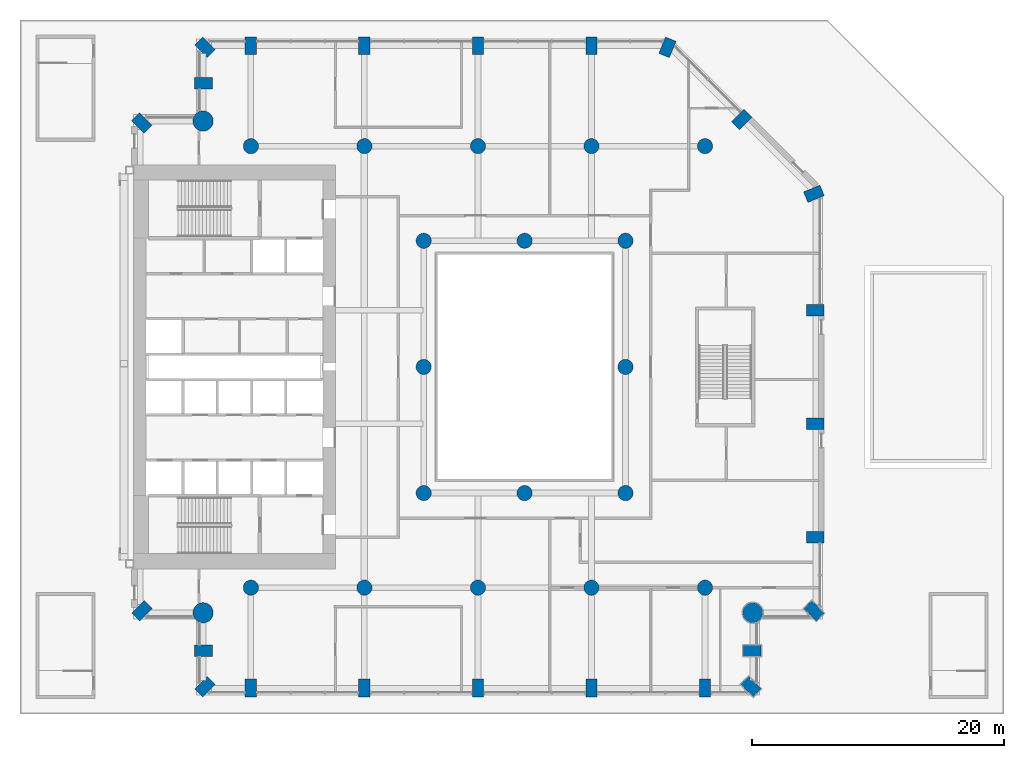
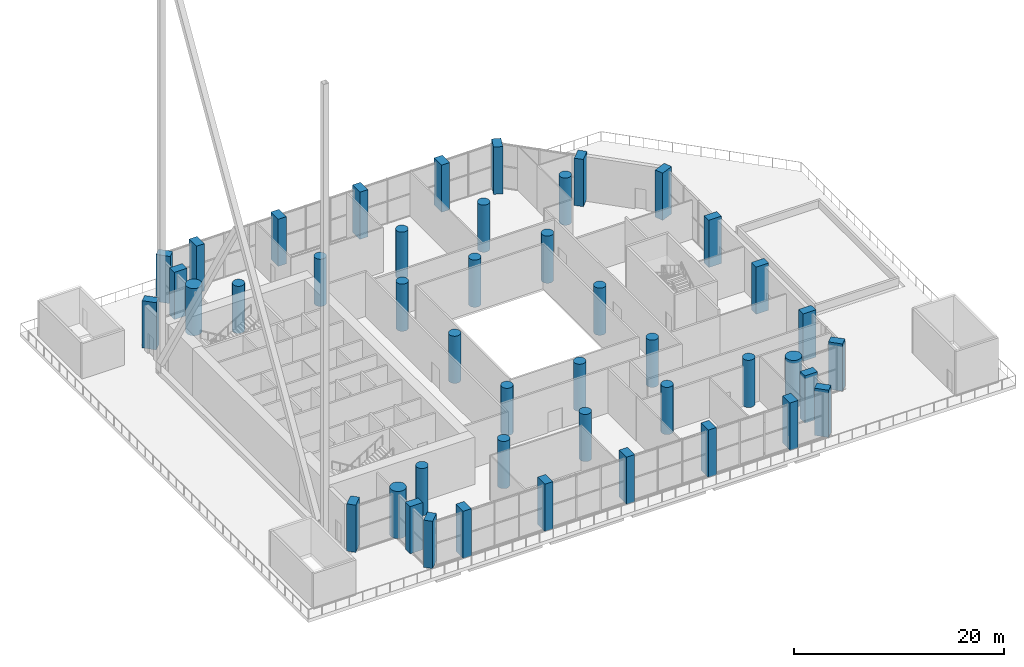
# One storey, part 1 of 26: 45 columns.
"""IFC4 building model written with IfcOpenShell, lengths in metres."""

from ifc_helpers import new_model, si_unit, direction, frame, origin, origin_2d, place, context, subcontext, project, spatial, rectangle, circle, extrude, material, material_profile, profile_set, type_object, element, save


model = new_model("IFC4")

# Units and contexts
model_context = context("Model", 3, precision=1e-05, world=origin(), true_north=direction((0.0, 1.0)))
body_context = subcontext(model_context, "Body", "Model", "MODEL_VIEW")
ifc_project = project(units=[si_unit("LENGTHUNIT", "METRE"), si_unit("AREAUNIT", "SQUARE_METRE"), si_unit("VOLUMEUNIT", "CUBIC_METRE"), si_unit("PLANEANGLEUNIT", "RADIAN"), si_unit("MASSUNIT", "GRAM", prefix="KILO")], contexts=[model_context])

# Site, building, storey
site_placement = place(None, origin())
site = spatial("IfcSite", under=ifc_project, at=site_placement, CompositionType="ELEMENT")
building_placement = place(site_placement, origin())
building = spatial("IfcBuilding", under=site, at=building_placement, Name="Cypress Arch Tower", CompositionType="ELEMENT")
storey_placement = place(building_placement, frame((0.0, 0.0, 50.0)))
storey = spatial("IfcBuildingStorey", under=building, at=storey_placement, Name="L06", CompositionType="ELEMENT", Elevation=50.0)

# Columns
ifc_material_1 = material(Name="Concrete C80/95", Category="concrete")
ifc_material_profile_1 = material_profile(ifc_material_1, rectangle(XDim=0.89990234375, YDim=1.39990234375, at=origin_2d()), Name="RC 900x1400")
ifc_profile_set_1 = profile_set([ifc_material_profile_1], Name="Concrete C80/95")
column_type_1 = type_object("IfcColumnType", Name="Column RC 900x1400 Concrete C80/95", PredefinedType="COLUMN", material=ifc_profile_set_1)
for number, where, z_axis, x_axis, name in (
    (1, (-29.3369140625, 19.3369140625, 0.0), (0.0, 0.0, 1.0), (-0.707106781187, -0.707106781187, 0.0), "Column L06 CA00"),
    (2, (-29.3369140625, -19.3369140625, 0.0), (0.0, 0.0, 1.0), (0.707106781187, -0.707106781187, 0.0), "Column L06 CA01"),
    (3, (-24.449951171875, -22.5, 0.0), (0.0, 0.0, 1.0), (0.0, -1.0, 0.0), "Column L06 CA03"),
    (4, (-24.3369140625, -25.3369140625, 0.0), (0.0, 0.0, 1.0), (0.707106781187, -0.707106781187, 0.0), "Column L06 CA04"),
    (5, (-20.699951171875, -25.449951171875, 0.0), (0.0, 0.0, 1.0), (1.0, 0.0, 0.0), "Column L06 CA05"),
    (6, (-11.699951171875, -25.449951171875, 0.0), (0.0, 0.0, 1.0), (1.0, 0.0, 0.0), "Column L06 CA06"),
    (7, (-2.699951171875, -25.449951171875, 0.0), (0.0, 0.0, 1.0), (1.0, 0.0, 0.0), "Column L06 CA07"),
    (8, (6.300048828125, -25.449951171875, 0.0), (0.0, 0.0, 1.0), (1.0, 0.0, 0.0), "Column L06 CA08"),
    (9, (15.300048828125, -25.449951171875, 0.0), (0.0, 0.0, 1.0), (1.0, 0.0, 0.0), "Column L06 CA09"),
    (10, (18.936767578125, -25.3369140625, 0.0), (0.0, 0.0, 1.0), (0.707106781187, 0.707106781187, 0.0), "Column L06 CA10"),
    (11, (19.050048828125, -22.5, 0.0), (0.0, 0.0, 1.0), (0.0, 1.0, 0.0), "Column L06 CA11"),
    (12, (23.936767578125, -19.3369140625, 0.0), (0.0, 0.0, 1.0), (0.707106781187, 0.707106781187, 0.0), "Column L06 CA13"),
    (13, (24.050048828125, -13.5, 0.0), (0.0, 0.0, 1.0), (0.0, 1.0, 0.0), "Column L06 CA14"),
    (14, (24.050048828125, -4.5, 0.0), (0.0, 0.0, 1.0), (0.0, 1.0, 0.0), "Column L06 CA15"),
    (15, (24.050048828125, 4.5, 0.0), (0.0, 0.0, 1.0), (0.0, 1.0, 0.0), "Column L06 CA16"),
    (16, (23.93115234375, 13.722900390625, 0.0), (0.0, 0.0, 1.0), (-0.382683496864, 0.923879505795, 0.0), "Column L06 CA17"),
    (17, (18.211181640625, 19.611083984375, 0.0), (0.0, 0.0, 1.0), (-0.707106781187, 0.707106781187, 0.0), "Column L06 CA18"),
    (18, (12.322998046875, 25.3310546875, 0.0), (0.0, 0.0, 1.0), (-0.923879505795, 0.382683496864, 0.0), "Column L06 CA19"),
    (19, (6.300048828125, 25.449951171875, 0.0), (0.0, 0.0, 1.0), (-1.0, 0.0, 0.0), "Column L06 CA20"),
    (20, (-2.699951171875, 25.449951171875, 0.0), (0.0, 0.0, 1.0), (-1.0, 0.0, 0.0), "Column L06 CA21"),
    (21, (-11.699951171875, 25.449951171875, 0.0), (0.0, 0.0, 1.0), (-1.0, 0.0, 0.0), "Column L06 CA22"),
    (22, (-20.699951171875, 25.449951171875, 0.0), (0.0, 0.0, 1.0), (-1.0, 0.0, 0.0), "Column L06 CA23"),
    (23, (-24.3369140625, 25.3369140625, 0.0), (0.0, 0.0, 1.0), (-0.707106781187, -0.707106781187, 0.0), "Column L06 CA24"),
    (24, (-24.449951171875, 22.5, 0.0), (0.0, 0.0, 1.0), (0.0, -1.0, 0.0), "Column L06 CA25"),
):
    element("IfcColumn", number, at=place(storey_placement, frame(where, z_axis=z_axis, x_axis=x_axis)), inside=storey, type_object=column_type_1, Name=name, PredefinedType="COLUMN", context=body_context, shape_type="SweptSolid", body=[
        extrude(rectangle(XDim=0.89990234375, YDim=1.39990234375, at=origin_2d()), origin(), (0.0, 0.0, 1.0), 5.5),
    ])
ifc_material_2 = material(Name="Concrete C80/95", Category="concrete")
ifc_material_profile_2 = material_profile(ifc_material_2, circle(Radius=0.60009765625, at=origin_2d()), Name="RC D1200")
ifc_profile_set_2 = profile_set([ifc_material_profile_2], Name="Concrete C80/95")
column_type_2 = type_object("IfcColumnType", Name="Column RC D1200 Concrete C80/95", PredefinedType="COLUMN", material=ifc_profile_set_2)
for number, where, z_axis, x_axis, name in (
    (25, (-20.699951171875, -17.5, 0.0), (0.0, 0.0, 1.0), (1.0, 0.0, 0.0), "Column L06 CIC-L06-CI3S"),
    (26, (-11.699951171875, -17.5, 0.0), (0.0, 0.0, 1.0), (1.0, 0.0, 0.0), "Column L06 CIC-L06-CI4S"),
    (27, (-2.699951171875, -17.5, 0.0), (0.0, 0.0, 1.0), (1.0, 0.0, 0.0), "Column L06 CIC-L06-CI5S"),
    (28, (6.300048828125, -17.5, 0.0), (0.0, 0.0, 1.0), (1.0, 0.0, 0.0), "Column L06 CIC-L06-CI6S"),
    (29, (15.300048828125, -17.5, 0.0), (0.0, 0.0, 1.0), (1.0, 0.0, 0.0), "Column L06 CIC-L06-CI7S"),
    (30, (-20.699951171875, 17.5, 0.0), (0.0, 0.0, 1.0), (1.0, 0.0, 0.0), "Column L06 CIC-L06-CI3N"),
    (31, (-11.699951171875, 17.5, 0.0), (0.0, 0.0, 1.0), (1.0, 0.0, 0.0), "Column L06 CIC-L06-CI4N"),
    (32, (-2.699951171875, 17.5, 0.0), (0.0, 0.0, 1.0), (1.0, 0.0, 0.0), "Column L06 CIC-L06-CI5N"),
    (33, (6.300048828125, 17.5, 0.0), (0.0, 0.0, 1.0), (1.0, 0.0, 0.0), "Column L06 CIC-L06-CI6N"),
    (34, (15.300048828125, 17.5, 0.0), (0.0, 0.0, 1.0), (1.0, 0.0, 0.0), "Column L06 CIC-L06-CI7N"),
    (35, (-7.0, -10.0, 0.0), (0.0, 0.0, 1.0), (1.0, 0.0, 0.0), "Column L06 RNG-L06-G-7-10"),
    (36, (-7.0, 0.0, 0.0), (0.0, 0.0, 1.0), (1.0, 0.0, 0.0), "Column L06 RNG-L06-G-7+0"),
    (37, (-7.0, 10.0, 0.0), (0.0, 0.0, 1.0), (1.0, 0.0, 0.0), "Column L06 RNG-L06-G-7+10"),
    (38, (1.0, -10.0, 0.0), (0.0, 0.0, 1.0), (1.0, 0.0, 0.0), "Column L06 RNG-L06-G+1-10"),
    (39, (1.0, 10.0, 0.0), (0.0, 0.0, 1.0), (1.0, 0.0, 0.0), "Column L06 RNG-L06-G+1+10"),
    (40, (9.0, -10.0, 0.0), (0.0, 0.0, 1.0), (1.0, 0.0, 0.0), "Column L06 RNG-L06-G+9-10"),
    (41, (9.0, 0.0, 0.0), (0.0, 0.0, 1.0), (1.0, 0.0, 0.0), "Column L06 RNG-L06-G+9+0"),
    (42, (9.0, 10.0, 0.0), (0.0, 0.0, 1.0), (1.0, 0.0, 0.0), "Column L06 RNG-L06-G+9+10"),
):
    element("IfcColumn", number, at=place(storey_placement, frame(where, z_axis=z_axis, x_axis=x_axis)), inside=storey, type_object=column_type_2, Name=name, PredefinedType="COLUMN", context=body_context, shape_type="SweptSolid", body=[
        extrude(circle(Radius=0.60009765625, at=origin_2d()), origin(), (0.0, 0.0, 1.0), 5.5),
    ])
ifc_material_3 = material(Name="Concrete C80/95", Category="concrete")
ifc_material_profile_3 = material_profile(ifc_material_3, circle(Radius=0.800048828125, at=origin_2d()), Name="RC D1600")
ifc_profile_set_3 = profile_set([ifc_material_profile_3], Name="Concrete C80/95")
column_type_3 = type_object("IfcColumnType", Name="Mega-column RC D1600 Concrete C80/95", PredefinedType="COLUMN", material=ifc_profile_set_3)
for number, where, z_axis, x_axis, name in (
    (43, (-24.48779296875, -19.48779296875, 0.0), (0.0, 0.0, 1.0), (1.0, 0.0, 0.0), "Column L06 CA02"),
    (44, (19.087890625, -19.48779296875, 0.0), (0.0, 0.0, 1.0), (1.0, 0.0, 0.0), "Column L06 CA12"),
    (45, (-24.48779296875, 19.48779296875, 0.0), (0.0, 0.0, 1.0), (1.0, 0.0, 0.0), "Column L06 CA26"),
):
    element("IfcColumn", number, at=place(storey_placement, frame(where, z_axis=z_axis, x_axis=x_axis)), inside=storey, type_object=column_type_3, Name=name, PredefinedType="COLUMN", context=body_context, shape_type="SweptSolid", body=[
        extrude(circle(Radius=0.800048828125, at=origin_2d()), origin(), (0.0, 0.0, 1.0), 5.5),
    ])

save(model, "model.ifc")
